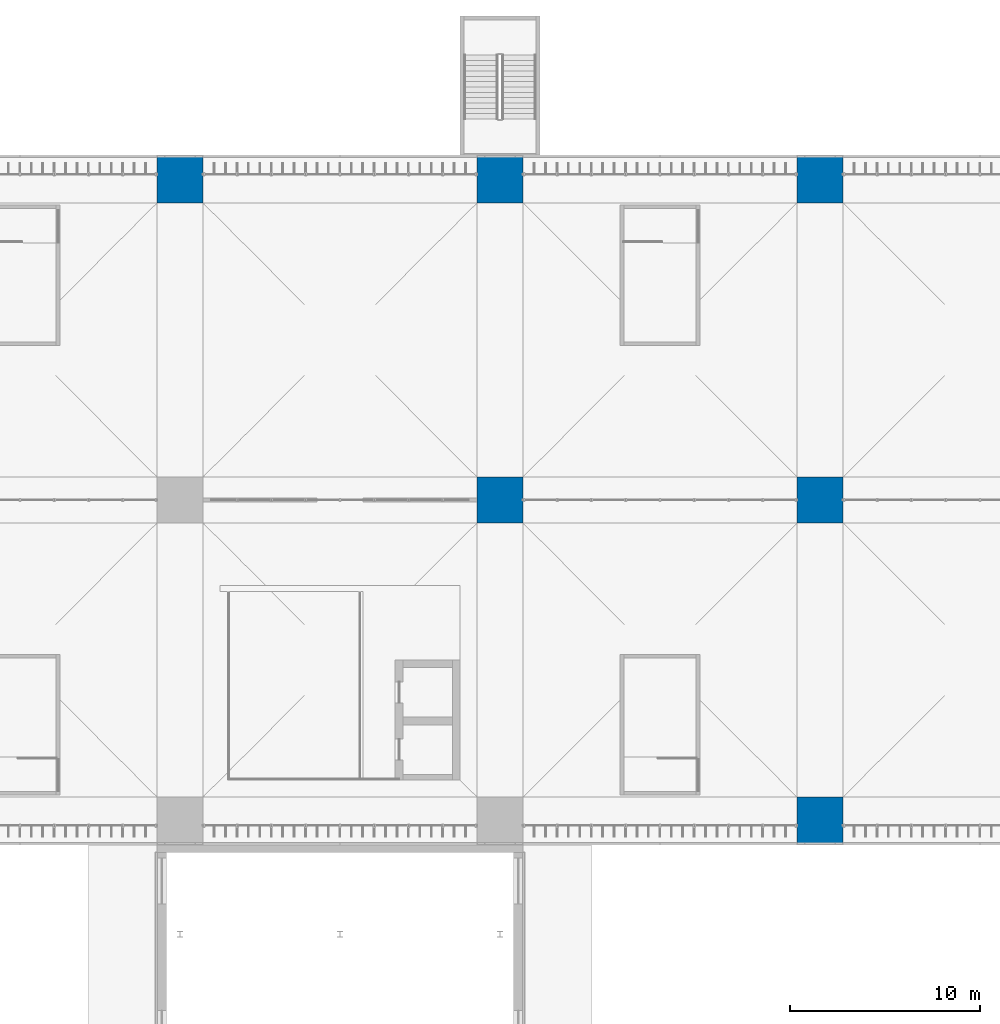
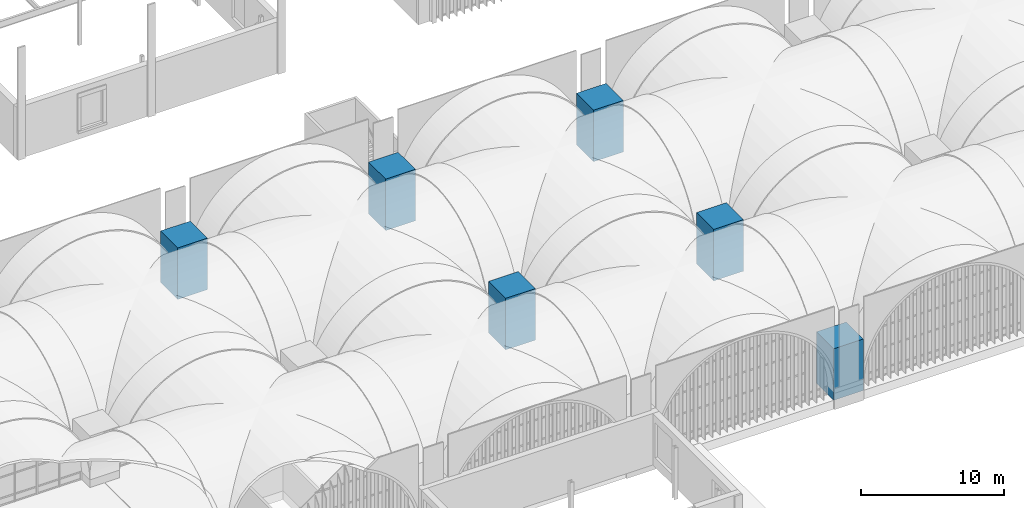
# One storey, part 6 of 169: 6 columns.
"""IFC4 building model written with IfcOpenShell, lengths in metres."""

from ifc_helpers import new_model, si_unit, direction, frame, origin, origin_2d, place, context, subcontext, project, spatial, rectangle, extrude, material, material_profile, profile_set, type_object, element, save


model = new_model("IFC4")

# Units and contexts
model_context = context("Model", 3, precision=1e-05, world=origin(), true_north=direction((0.0, 1.0)))
body_context = subcontext(model_context, "Body", "Model", "MODEL_VIEW")
ifc_project = project(units=[si_unit("LENGTHUNIT", "METRE"), si_unit("AREAUNIT", "SQUARE_METRE"), si_unit("VOLUMEUNIT", "CUBIC_METRE"), si_unit("PLANEANGLEUNIT", "RADIAN"), si_unit("MASSUNIT", "GRAM", prefix="KILO")], contexts=[model_context])

# Site, building, storey
site_placement = place(None, origin())
site = spatial("IfcSite", under=ifc_project, at=site_placement, CompositionType="ELEMENT")
building_placement = place(site_placement, origin())
building = spatial("IfcBuilding", under=site, at=building_placement, Name="Verrick Yard Athletic Hall", CompositionType="ELEMENT")
storey_placement = place(building_placement, frame((0.0, 0.0, 4.39990234375)))
storey = spatial("IfcBuildingStorey", under=building, at=storey_placement, Name="L01", CompositionType="ELEMENT", Elevation=4.39990234375)

# Columns
ifc_material = material(Name="Concrete 35 MPa", Category="concrete")
ifc_material_profile = material_profile(ifc_material, rectangle(XDim=2.39990234375, YDim=2.39990234375, at=origin_2d()), Name="STR Buttress pier PR1")
ifc_profile_set = profile_set([ifc_material_profile], Name="Concrete 35 MPa")
column_type = type_object("IfcColumnType", Name="STR Buttress pier PR1", PredefinedType="COLUMN", material=ifc_profile_set)
for number, where, z_axis, x_axis, name in (
    (1, (124.0, 19.199951171875, 0.0), (0.0, 0.0, 1.0), (1.0, 0.0, 0.0), "Buttress pier P6A"),
    (2, (107.199951171875, 36.0, 0.0), (0.0, 0.0, 1.0), (1.0, 0.0, 0.0), "Buttress pier P5B"),
    (3, (124.0, 36.0, 0.0), (0.0, 0.0, 1.0), (1.0, 0.0, 0.0), "Buttress pier P6B"),
    (4, (90.39990234375, 52.800048828125, 0.0), (0.0, 0.0, 1.0), (1.0, 0.0, 0.0), "Buttress pier P4C"),
    (5, (107.199951171875, 52.800048828125, 0.0), (0.0, 0.0, 1.0), (1.0, 0.0, 0.0), "Buttress pier P5C"),
    (6, (124.0, 52.800048828125, 0.0), (0.0, 0.0, 1.0), (1.0, 0.0, 0.0), "Buttress pier P6C"),
):
    element("IfcColumn", number, at=place(storey_placement, frame(where, z_axis=z_axis, x_axis=x_axis)), inside=storey, type_object=column_type, Name=name, PredefinedType="COLUMN", context=body_context, shape_type="SweptSolid", body=[
        extrude(rectangle(XDim=2.39990234375, YDim=2.39990234375, at=origin_2d()), origin(), (0.0, 0.0, 1.0), 4.400146484375),
    ])

save(model, "model.ifc")
